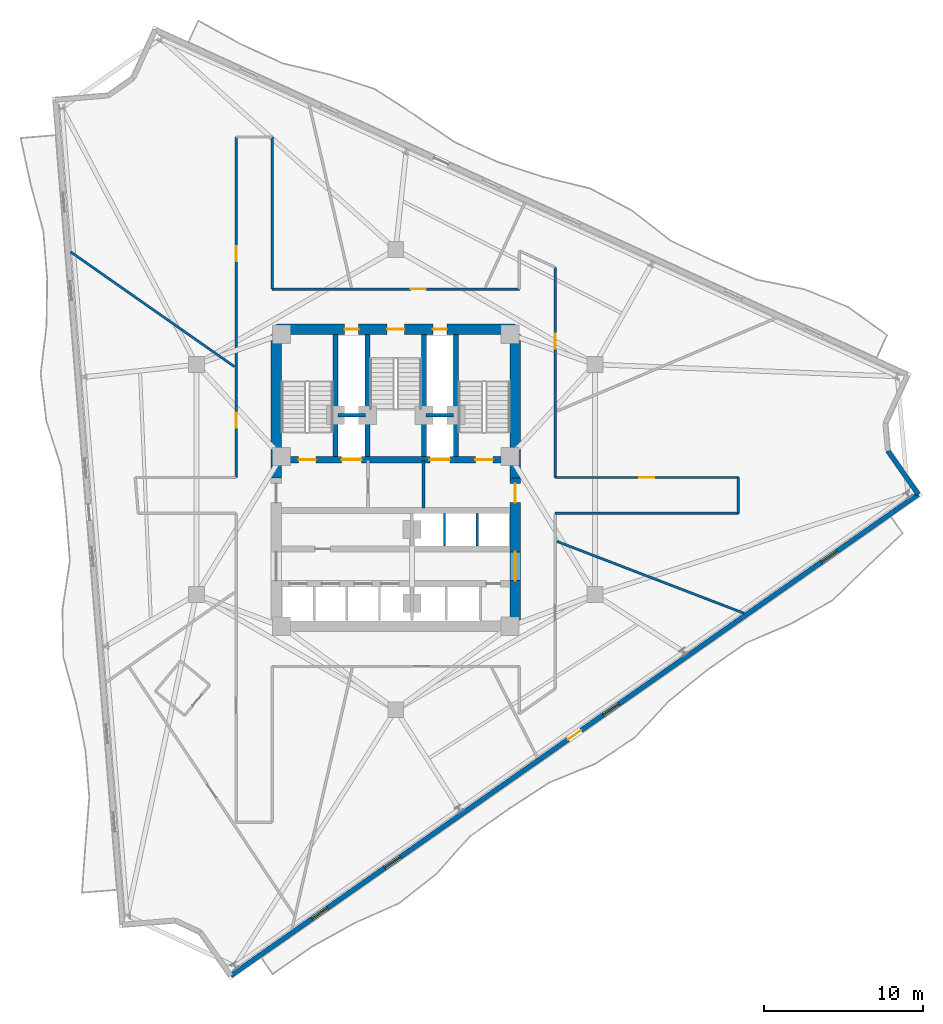
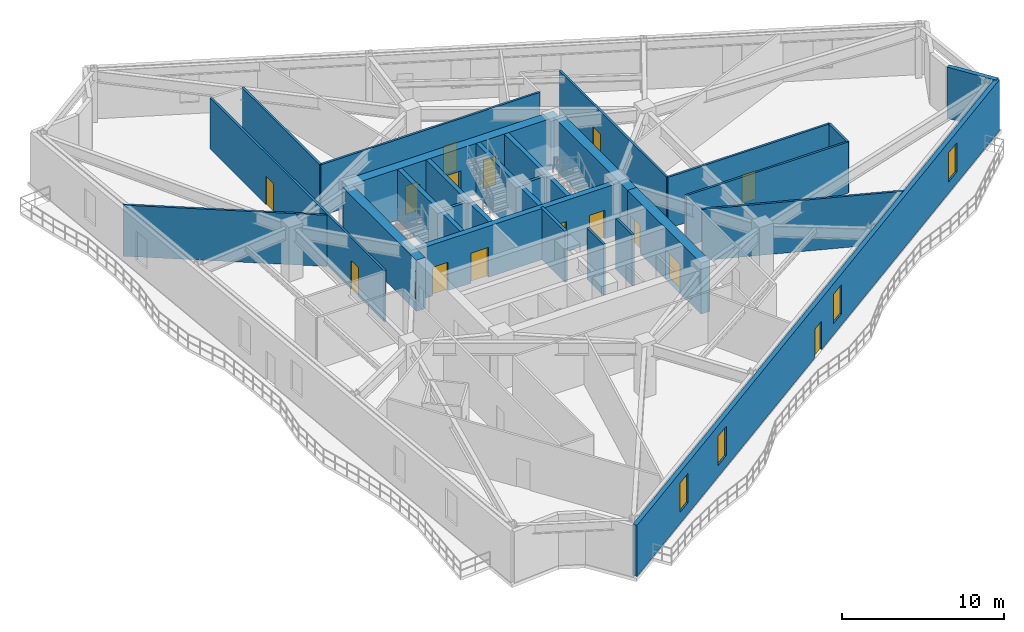
# One storey, part 6 of 11: 25 walls, 15 doors, 4 windows, 19 openings.
"""IFC4 building model written with IfcOpenShell, lengths in metres."""

from ifc_helpers import new_model, si_unit, direction, frame, frame_2d, origin, place, context, subcontext, project, spatial, rectangle, extrude, material, layer, layer_set, type_object, element, fill, save


model = new_model("IFC4")

# Units and contexts
model_context = context("Model", 3, precision=1e-05, world=origin(), true_north=direction((0.0, 1.0)))
body_context = subcontext(model_context, "Body", "Model", "MODEL_VIEW")
ifc_project = project(units=[si_unit("LENGTHUNIT", "METRE"), si_unit("AREAUNIT", "SQUARE_METRE"), si_unit("VOLUMEUNIT", "CUBIC_METRE"), si_unit("PLANEANGLEUNIT", "RADIAN"), si_unit("MASSUNIT", "GRAM", prefix="KILO")], contexts=[model_context])

# Site, building, storey
site_placement = place(None, origin())
site = spatial("IfcSite", under=ifc_project, at=site_placement, CompositionType="ELEMENT")
building_placement = place(site_placement, origin())
building = spatial("IfcBuilding", under=site, at=building_placement, Name="Apsidion Concourse Tower", CompositionType="ELEMENT")
storey_placement = place(building_placement, frame((0.0, 0.0, 214.699951171875)))
storey = spatial("IfcBuildingStorey", under=building, at=storey_placement, Name="L50", CompositionType="ELEMENT", Elevation=214.699951171875)

# Wall
ifc_material_1 = material(Name="Precast concrete C40/50", Category="concrete")
ifc_layer_1 = layer(ifc_material_1, 0.300048828125)
ifc_layer_set_1 = layer_set([ifc_layer_1], Name="Precast concrete C40/50")
wall_type_1 = type_object("IfcWallType", Name="WL-EXT-300", PredefinedType="STANDARD", material=ifc_layer_set_1)
wall_1_placement = place(storey_placement, frame((30.99951171875, 1.809814453125, 0.0), z_axis=(0.0, 0.0, 1.0), x_axis=(0.573550493689, -0.819170208925, 0.0)))
element("IfcWall", 1, at=wall_1_placement, inside=storey, type_object=wall_type_1, Name="L50 Precast Stone Facade Wall 04", PredefinedType="STANDARD", context=body_context, shape_type="SweptSolid", body=[
    extrude(rectangle(XDim=3.345703125, YDim=0.300048828125, at=frame_2d((1.6728515625, 0.0))), origin(), (0.0, 0.0, 1.0), 3.85009765625),
])

# Wall, openings, door, windows
wall_2_placement = place(storey_placement, frame((32.91845703125, -0.930908203125, 0.0), z_axis=(0.0, 0.0, 1.0), x_axis=(-0.819151415939, -0.573577333727, 0.0)))
wall_2 = element("IfcWall", 2, at=wall_2_placement, inside=storey, type_object=wall_type_1, Name="L50 Precast Stone Facade Wall 05", PredefinedType="STANDARD", context=body_context, shape_type="SweptSolid", body=[
    extrude(rectangle(XDim=52.862548828125, YDim=0.300048828125, at=frame_2d((26.43115234375, 0.0))), origin(), (0.0, 0.0, 1.0), 3.85009765625),
])
opening_1_placement = place(wall_2_placement, frame((25.931396484375, 0.0, 0.0)))
opening_1 = element("IfcOpeningElement", 3, at=opening_1_placement, cuts=wall_2, Name="Opening D-T1R", PredefinedType="OPENING", context=body_context, shape_type="SweptSolid", body=[
    extrude(rectangle(XDim=1.0, YDim=2.14990234375, at=frame_2d((0.5, 1.074951171875))), frame((0.0, 0.16015625, 0.0), z_axis=(0.0, -1.0, 0.0), x_axis=(1.0, 0.0, 0.0)), (0.0, 0.0, 1.0), 0.320068359375),
])
opening_2_placement = place(wall_2_placement, frame((6.231201171875, 0.0, 0.85009765625)))
opening_2 = element("IfcOpeningElement", 4, at=opening_2_placement, cuts=wall_2, Name="Opening WN-06", PredefinedType="OPENING", context=body_context, shape_type="SweptSolid", body=[
    extrude(rectangle(XDim=1.199951171875, YDim=2.199951171875, at=frame_2d((0.60009765625, 1.10009765625))), frame((0.0, 0.16015625, 0.0), z_axis=(0.0, -1.0, 0.0), x_axis=(1.0, 0.0, 0.0)), (0.0, 0.0, 1.0), 0.320068359375),
])
opening_3_placement = place(wall_2_placement, frame((23.03125, 0.0, 0.85009765625)))
opening_3 = element("IfcOpeningElement", 5, at=opening_3_placement, cuts=wall_2, Name="Opening WN-06", PredefinedType="OPENING", context=body_context, shape_type="SweptSolid", body=[
    extrude(rectangle(XDim=1.199951171875, YDim=2.199951171875, at=frame_2d((0.60009765625, 1.10009765625))), frame((0.0, 0.16015625, 0.0), z_axis=(0.0, -1.0, 0.0), x_axis=(1.0, 0.0, 0.0)), (0.0, 0.0, 1.0), 0.320068359375),
])
opening_4_placement = place(wall_2_placement, frame((39.831298828125, 0.0, 0.85009765625)))
opening_4 = element("IfcOpeningElement", 6, at=opening_4_placement, cuts=wall_2, Name="Opening WN-06", PredefinedType="OPENING", context=body_context, shape_type="SweptSolid", body=[
    extrude(rectangle(XDim=1.199951171875, YDim=2.199951171875, at=frame_2d((0.60009765625, 1.10009765625))), frame((0.0, 0.16015625, 0.0), z_axis=(0.0, -1.0, 0.0), x_axis=(1.0, 0.0, 0.0)), (0.0, 0.0, 1.0), 0.320068359375),
])
opening_5_placement = place(wall_2_placement, frame((45.431396484375, 0.0, 0.85009765625)))
opening_5 = element("IfcOpeningElement", 7, at=opening_5_placement, cuts=wall_2, Name="Opening WN-06", PredefinedType="OPENING", context=body_context, shape_type="SweptSolid", body=[
    extrude(rectangle(XDim=1.199951171875, YDim=2.199951171875, at=frame_2d((0.60009765625, 1.10009765625))), frame((0.0, 0.16015625, 0.0), z_axis=(0.0, -1.0, 0.0), x_axis=(1.0, 0.0, 0.0)), (0.0, 0.0, 1.0), 0.320068359375),
])
ifc_material_2 = material(Name="Anodised aluminium EN AW-6063 T6", Category="aluminium")
door_type_1 = type_object("IfcDoorType", Name="DR-TER-1022R", OperationType="SINGLE_SWING_RIGHT", PredefinedType="DOOR", material=ifc_material_2)
door_1_placement = place(opening_1_placement, origin())
door_1 = element("IfcDoor", 8, at=door_1_placement, inside=storey, type_object=door_type_1, Name="L50 Balcony Access Door 2", OperationType="SINGLE_SWING_RIGHT", OverallHeight=2.14990234375, OverallWidth=1.0, PredefinedType="DOOR", context=body_context, shape_type="SweptSolid", body=[
    extrude(rectangle(XDim=1.0, YDim=2.14990234375, at=frame_2d((0.5, 1.074951171875))), frame((0.0, 0.02490234375, 0.0), z_axis=(0.0, -1.0, 0.0), x_axis=(1.0, 0.0, 0.0)), (0.0, 0.0, 1.0), 0.050048828125),
])
fill(opening_1, door_1)
ifc_material_3 = material(Name="Insulated laminated low-E glass", Category="glass")
window_type = type_object("IfcWindowType", Name="WN-OFF-1224", PartitioningType="SINGLE_PANEL", PredefinedType="WINDOW", material=ifc_material_3)
window_1_placement = place(opening_2_placement, origin())
window_1 = element("IfcWindow", 9, at=window_1_placement, inside=storey, type_object=window_type, Name="L50 Punched Facade Window 5-01", OverallHeight=2.199951171875, OverallWidth=1.199951171875, PartitioningType="SINGLE_PANEL", PredefinedType="WINDOW", context=body_context, shape_type="SweptSolid", body=[
    extrude(rectangle(XDim=1.199951171875, YDim=2.199951171875, at=frame_2d((0.60009765625, 1.10009765625))), frame((0.0, 0.030029296875, 0.0), z_axis=(0.0, -1.0, 0.0), x_axis=(1.0, 0.0, 0.0)), (0.0, 0.0, 1.0), 0.06005859375),
])
fill(opening_2, window_1)
window_2_placement = place(opening_3_placement, origin())
window_2 = element("IfcWindow", 10, at=window_2_placement, inside=storey, type_object=window_type, Name="L50 Punched Facade Window 5-04", OverallHeight=2.199951171875, OverallWidth=1.199951171875, PartitioningType="SINGLE_PANEL", PredefinedType="WINDOW", context=body_context, shape_type="SweptSolid", body=[
    extrude(rectangle(XDim=1.199951171875, YDim=2.199951171875, at=frame_2d((0.60009765625, 1.10009765625))), frame((0.0, 0.030029296875, 0.0), z_axis=(0.0, -1.0, 0.0), x_axis=(1.0, 0.0, 0.0)), (0.0, 0.0, 1.0), 0.06005859375),
])
fill(opening_3, window_2)
window_3_placement = place(opening_4_placement, origin())
window_3 = element("IfcWindow", 11, at=window_3_placement, inside=storey, type_object=window_type, Name="L50 Punched Facade Window 5-07", OverallHeight=2.199951171875, OverallWidth=1.199951171875, PartitioningType="SINGLE_PANEL", PredefinedType="WINDOW", context=body_context, shape_type="SweptSolid", body=[
    extrude(rectangle(XDim=1.199951171875, YDim=2.199951171875, at=frame_2d((0.60009765625, 1.10009765625))), frame((0.0, 0.030029296875, 0.0), z_axis=(0.0, -1.0, 0.0), x_axis=(1.0, 0.0, 0.0)), (0.0, 0.0, 1.0), 0.06005859375),
])
fill(opening_4, window_3)
window_4_placement = place(opening_5_placement, origin())
window_4 = element("IfcWindow", 12, at=window_4_placement, inside=storey, type_object=window_type, Name="L50 Punched Facade Window 5-08", OverallHeight=2.199951171875, OverallWidth=1.199951171875, PartitioningType="SINGLE_PANEL", PredefinedType="WINDOW", context=body_context, shape_type="SweptSolid", body=[
    extrude(rectangle(XDim=1.199951171875, YDim=2.199951171875, at=frame_2d((0.60009765625, 1.10009765625))), frame((0.0, 0.030029296875, 0.0), z_axis=(0.0, -1.0, 0.0), x_axis=(1.0, 0.0, 0.0)), (0.0, 0.0, 1.0), 0.06005859375),
])
fill(opening_5, window_4)

# Walls
ifc_material_4 = material(Name="Gypsum plasterboard partition")
ifc_layer_2 = layer(ifc_material_4, 0.14990234375)
ifc_layer_set_2 = layer_set([ifc_layer_2], Name="Gypsum plasterboard partition")
wall_type_2 = type_object("IfcWallType", Name="WL-INT-PAR-150", PredefinedType="PARTITIONING", material=ifc_layer_set_2)
for number, where, z_axis, x_axis, name in (
    (13, (3.074951171875, -4.179931640625, 0.0), (0.0, 0.0, 1.0), (0.0, 1.0, 0.0), "L50 Interior Partition WL-L50-B3DIV-1"),
    (14, (5.125, -4.179931640625, 0.0), (0.0, 0.0, 1.0), (0.0, 1.0, 0.0), "L50 Interior Partition WL-L50-B3DIV-2"),
):
    element("IfcWall", number, at=place(storey_placement, frame(where, z_axis=z_axis, x_axis=x_axis)), inside=storey, type_object=wall_type_2, Name=name, PredefinedType="PARTITIONING", context=body_context, shape_type="SweptSolid", body=[
        extrude(rectangle(XDim=2.030029296875, YDim=0.14990234375, at=frame_2d((1.01513671875, 0.0))), origin(), (0.0, 0.0, 1.0), 3.85009765625),
    ])

# Wall, openings, doors
wall_3_placement = place(storey_placement, frame((-10.050048828125, 0.1298828125, 0.0), z_axis=(0.0, 0.0, 1.0), x_axis=(0.0, 1.0, 0.0)))
wall_3 = element("IfcWall", 15, at=wall_3_placement, inside=storey, type_object=wall_type_2, Name="L50 Interior Partition WL-L50-CORR-10", PredefinedType="PARTITIONING", context=body_context, shape_type="SweptSolid", body=[
    extrude(rectangle(XDim=21.4501953125, YDim=0.14990234375, at=frame_2d((10.72509765625, 0.0))), origin(), (0.0, 0.0, 1.0), 3.85009765625),
])
opening_6_placement = place(wall_3_placement, frame((13.61328125, 0.0, 0.0)))
opening_6 = element("IfcOpeningElement", 16, at=opening_6_placement, cuts=wall_3, Name="Opening D-01L", PredefinedType="OPENING", context=body_context, shape_type="SweptSolid", body=[
    extrude(rectangle(XDim=0.949951171875, YDim=2.14990234375, at=frame_2d((0.47509765625, 1.074951171875))), frame((0.0, 0.0849609375, 0.0), z_axis=(0.0, -1.0, 0.0), x_axis=(1.0, 0.0, 0.0)), (0.0, 0.0, 1.0), 0.169921875),
])
opening_7_placement = place(wall_3_placement, frame((3.139404296875, 0.0, 0.0)))
opening_7 = element("IfcOpeningElement", 17, at=opening_7_placement, cuts=wall_3, Name="Opening D-01R", PredefinedType="OPENING", context=body_context, shape_type="SweptSolid", body=[
    extrude(rectangle(XDim=0.949951171875, YDim=2.14990234375, at=frame_2d((0.47509765625, 1.074951171875))), frame((0.0, 0.0849609375, 0.0), z_axis=(0.0, -1.0, 0.0), x_axis=(1.0, 0.0, 0.0)), (0.0, 0.0, 1.0), 0.169921875),
])
ifc_material_5 = material(Name="Brushed stainless steel 316", Category="steel")
door_type_2 = type_object("IfcDoorType", Name="DR-INT-D01L", OperationType="SINGLE_SWING_LEFT", PredefinedType="DOOR", material=ifc_material_5)
door_2_placement = place(opening_6_placement, origin())
door_2 = element("IfcDoor", 18, at=door_2_placement, inside=storey, type_object=door_type_2, Name="L50 Corridor Entry Door 07", OperationType="SINGLE_SWING_LEFT", OverallHeight=2.14990234375, OverallWidth=0.949951171875, PredefinedType="DOOR", context=body_context, shape_type="SweptSolid", body=[
    extrude(rectangle(XDim=0.949951171875, YDim=2.14990234375, at=frame_2d((0.47509765625, 1.074951171875))), frame((0.0, 0.02490234375, 0.0), z_axis=(0.0, -1.0, 0.0), x_axis=(1.0, 0.0, 0.0)), (0.0, 0.0, 1.0), 0.050048828125),
])
fill(opening_6, door_2)
door_type_3 = type_object("IfcDoorType", Name="DR-INT-D01R", OperationType="SINGLE_SWING_RIGHT", PredefinedType="DOOR", material=ifc_material_5)
door_3_placement = place(opening_7_placement, origin())
door_3 = element("IfcDoor", 19, at=door_3_placement, inside=storey, type_object=door_type_3, Name="L50 Corridor Entry Door 08", OperationType="SINGLE_SWING_RIGHT", OverallHeight=2.14990234375, OverallWidth=0.949951171875, PredefinedType="DOOR", context=body_context, shape_type="SweptSolid", body=[
    extrude(rectangle(XDim=0.949951171875, YDim=2.14990234375, at=frame_2d((0.47509765625, 1.074951171875))), frame((0.0, 0.02490234375, 0.0), z_axis=(0.0, -1.0, 0.0), x_axis=(1.0, 0.0, 0.0)), (0.0, 0.0, 1.0), 0.050048828125),
])
fill(opening_7, door_3)

# Wall
wall_4_placement = place(storey_placement, frame((-7.7900390625, 21.580078125, 0.0), z_axis=(0.0, 0.0, 1.0), x_axis=(0.0, -1.0, 0.0)))
element("IfcWall", 20, at=wall_4_placement, inside=storey, type_object=wall_type_2, Name="L50 Interior Partition WL-L50-CORR-12", PredefinedType="PARTITIONING", context=body_context, shape_type="SweptSolid", body=[
    extrude(rectangle(XDim=9.580078125, YDim=0.14990234375, at=frame_2d((4.7900390625, 0.0))), origin(), (0.0, 0.0, 1.0), 3.85009765625),
])

# Wall, opening, door
wall_5_placement = place(storey_placement, frame((-7.7900390625, 12.0, 0.0), z_axis=(0.0, 0.0, 1.0), x_axis=(1.0, 0.0, 0.0)))
wall_5 = element("IfcWall", 21, at=wall_5_placement, inside=storey, type_object=wall_type_2, Name="L50 Interior Partition WL-L50-CORR-13", PredefinedType="PARTITIONING", context=body_context, shape_type="SweptSolid", body=[
    extrude(rectangle(XDim=15.580078125, YDim=0.14990234375, at=frame_2d((7.7900390625, 0.0))), origin(), (0.0, 0.0, 1.0), 3.85009765625),
])
opening_8_placement = place(wall_5_placement, frame((8.737548828125, 0.0, 0.0)))
opening_8 = element("IfcOpeningElement", 22, at=opening_8_placement, cuts=wall_5, Name="Opening D-01R", PredefinedType="OPENING", context=body_context, shape_type="SweptSolid", body=[
    extrude(rectangle(XDim=0.949951171875, YDim=2.14990234375, at=frame_2d((0.47509765625, 1.074951171875))), frame((0.0, 0.0849609375, 0.0), z_axis=(0.0, -1.0, 0.0), x_axis=(1.0, 0.0, 0.0)), (0.0, 0.0, 1.0), 0.169921875),
])
door_4_placement = place(opening_8_placement, origin())
door_4 = element("IfcDoor", 23, at=door_4_placement, inside=storey, type_object=door_type_3, Name="L50 Corridor Entry Door 06", OperationType="SINGLE_SWING_RIGHT", OverallHeight=2.14990234375, OverallWidth=0.949951171875, PredefinedType="DOOR", context=body_context, shape_type="SweptSolid", body=[
    extrude(rectangle(XDim=0.949951171875, YDim=2.14990234375, at=frame_2d((0.47509765625, 1.074951171875))), frame((0.0, 0.02490234375, 0.0), z_axis=(0.0, -1.0, 0.0), x_axis=(1.0, 0.0, 0.0)), (0.0, 0.0, 1.0), 0.050048828125),
])
fill(opening_8, door_4)

wall_6_placement = place(storey_placement, frame((10.050048828125, 13.370849609375, 0.0), z_axis=(0.0, 0.0, 1.0), x_axis=(0.0, -1.0, 0.0)))
wall_6 = element("IfcWall", 24, at=wall_6_placement, inside=storey, type_object=wall_type_2, Name="L50 Interior Partition WL-L50-CORR-16", PredefinedType="PARTITIONING", context=body_context, shape_type="SweptSolid", body=[
    extrude(rectangle(XDim=13.240966796875, YDim=0.14990234375, at=frame_2d((6.62060546875, 0.0))), origin(), (0.0, 0.0, 1.0), 3.85009765625),
])
opening_9_placement = place(wall_6_placement, frame((4.1845703125, 0.0, 0.0)))
opening_9 = element("IfcOpeningElement", 25, at=opening_9_placement, cuts=wall_6, Name="Opening D-01L", PredefinedType="OPENING", context=body_context, shape_type="SweptSolid", body=[
    extrude(rectangle(XDim=0.949951171875, YDim=2.14990234375, at=frame_2d((0.47509765625, 1.074951171875))), frame((0.0, 0.0849609375, 0.0), z_axis=(0.0, -1.0, 0.0), x_axis=(1.0, 0.0, 0.0)), (0.0, 0.0, 1.0), 0.169921875),
])
door_5_placement = place(opening_9_placement, origin())
door_5 = element("IfcDoor", 26, at=door_5_placement, inside=storey, type_object=door_type_2, Name="L50 Corridor Entry Door 05", OperationType="SINGLE_SWING_LEFT", OverallHeight=2.14990234375, OverallWidth=0.949951171875, PredefinedType="DOOR", context=body_context, shape_type="SweptSolid", body=[
    extrude(rectangle(XDim=0.949951171875, YDim=2.14990234375, at=frame_2d((0.47509765625, 1.074951171875))), frame((0.0, 0.02490234375, 0.0), z_axis=(0.0, -1.0, 0.0), x_axis=(1.0, 0.0, 0.0)), (0.0, 0.0, 1.0), 0.050048828125),
])
fill(opening_9, door_5)

wall_7_placement = place(storey_placement, frame((10.050048828125, 0.1298828125, 0.0), z_axis=(0.0, 0.0, 1.0), x_axis=(1.0, 0.0, 0.0)))
wall_7 = element("IfcWall", 27, at=wall_7_placement, inside=storey, type_object=wall_type_2, Name="L50 Interior Partition WL-L50-CORR-17", PredefinedType="PARTITIONING", context=body_context, shape_type="SweptSolid", body=[
    extrude(rectangle(XDim=11.530029296875, YDim=0.14990234375, at=frame_2d((5.76513671875, 0.0))), origin(), (0.0, 0.0, 1.0), 3.85009765625),
])
opening_10_placement = place(wall_7_placement, frame((5.2900390625, 0.0, 0.0)))
opening_10 = element("IfcOpeningElement", 28, at=opening_10_placement, cuts=wall_7, Name="Opening D-01R", PredefinedType="OPENING", context=body_context, shape_type="SweptSolid", body=[
    extrude(rectangle(XDim=0.949951171875, YDim=2.14990234375, at=frame_2d((0.47509765625, 1.074951171875))), frame((0.0, 0.0849609375, 0.0), z_axis=(0.0, -1.0, 0.0), x_axis=(1.0, 0.0, 0.0)), (0.0, 0.0, 1.0), 0.169921875),
])
door_6_placement = place(opening_10_placement, origin())
door_6 = element("IfcDoor", 29, at=door_6_placement, inside=storey, type_object=door_type_3, Name="L50 Corridor Entry Door 04", OperationType="SINGLE_SWING_RIGHT", OverallHeight=2.14990234375, OverallWidth=0.949951171875, PredefinedType="DOOR", context=body_context, shape_type="SweptSolid", body=[
    extrude(rectangle(XDim=0.949951171875, YDim=2.14990234375, at=frame_2d((0.47509765625, 1.074951171875))), frame((0.0, 0.02490234375, 0.0), z_axis=(0.0, -1.0, 0.0), x_axis=(1.0, 0.0, 0.0)), (0.0, 0.0, 1.0), 0.050048828125),
])
fill(opening_10, door_6)

# Walls
wall_8_placement = place(storey_placement, frame((21.580078125, 0.1298828125, 0.0), z_axis=(0.0, 0.0, 1.0), x_axis=(0.0, -1.0, 0.0)))
element("IfcWall", 30, at=wall_8_placement, inside=storey, type_object=wall_type_2, Name="L50 Interior Partition WL-L50-CORR-18", PredefinedType="PARTITIONING", context=body_context, shape_type="SweptSolid", body=[
    extrude(rectangle(XDim=2.259765625, YDim=0.14990234375, at=frame_2d((1.1298828125, 0.0))), origin(), (0.0, 0.0, 1.0), 3.85009765625),
])
wall_9_placement = place(storey_placement, frame((21.580078125, -2.1298828125, 0.0), z_axis=(0.0, 0.0, 1.0), x_axis=(-1.0, 0.0, 0.0)))
element("IfcWall", 31, at=wall_9_placement, inside=storey, type_object=wall_type_2, Name="L50 Interior Partition WL-L50-CORR-19", PredefinedType="PARTITIONING", context=body_context, shape_type="SweptSolid", body=[
    extrude(rectangle(XDim=11.530029296875, YDim=0.14990234375, at=frame_2d((5.76513671875, 0.0))), origin(), (0.0, 0.0, 1.0), 3.85009765625),
])
wall_10_placement = place(storey_placement, frame((-10.155029296875, 7.110595703125, 0.0), z_axis=(0.0, 0.0, 1.0), x_axis=(-0.819150109619, 0.573579199336, 0.0)))
element("IfcWall", 32, at=wall_10_placement, inside=storey, type_object=wall_type_2, Name="L50 Interior Partition WL-L50-RAD-04-1", PredefinedType="PARTITIONING", context=body_context, shape_type="SweptSolid", body=[
    extrude(rectangle(XDim=12.619140625, YDim=0.14990234375, at=frame_2d((6.3095703125, 0.0))), origin(), (0.0, 0.0, 1.0), 3.85009765625),
])
wall_11_placement = place(storey_placement, frame((10.155029296875, -3.898193359375, 0.0), z_axis=(0.0, 0.0, 1.0), x_axis=(0.933579284308, -0.358370925037, 0.0)))
element("IfcWall", 33, at=wall_11_placement, inside=storey, type_object=wall_type_2, Name="L50 Interior Partition WL-L50-RAD-09-1", PredefinedType="PARTITIONING", context=body_context, shape_type="SweptSolid", body=[
    extrude(rectangle(XDim=12.6181640625, YDim=0.14990234375, at=frame_2d((6.30908203125, 0.0))), origin(), (0.0, 0.0, 1.0), 3.85009765625),
])
ifc_layer_3 = layer(ifc_material_4, 0.199951171875)
ifc_layer_set_3 = layer_set([ifc_layer_3], Name="Gypsum plasterboard partition")
wall_type_3 = type_object("IfcWallType", Name="WL-INT-PAR-200", PredefinedType="PARTITIONING", material=ifc_layer_set_3)
for number, where, z_axis, x_axis, name in (
    (34, (-3.64990234375, 4.050048828125, 0.0), (0.0, 0.0, 1.0), (1.0, 0.0, 0.0), "L50 Interior Partition WL-L50-FF1-N"),
    (35, (1.919921875, 4.050048828125, 0.0), (0.0, 0.0, 1.0), (1.0, 0.0, 0.0), "L50 Interior Partition WL-L50-FF2-N"),
):
    element("IfcWall", number, at=place(storey_placement, frame(where, z_axis=z_axis, x_axis=x_axis)), inside=storey, type_object=wall_type_3, Name=name, PredefinedType="PARTITIONING", context=body_context, shape_type="SweptSolid", body=[
        extrude(rectangle(XDim=1.72998046875, YDim=0.199951171875, at=frame_2d((0.864990234375, 0.0))), origin(), (0.0, 0.0, 1.0), 3.85009765625),
    ])
wall_12_placement = place(storey_placement, frame((1.739990234375, -1.780029296875, 0.0), z_axis=(0.0, 0.0, 1.0), x_axis=(0.0, 1.0, 0.0)))
element("IfcWall", 36, at=wall_12_placement, inside=storey, type_object=wall_type_3, Name="L50 Interior Partition WL-L50-FF2-W", PredefinedType="PARTITIONING", context=body_context, shape_type="SweptSolid", body=[
    extrude(rectangle(XDim=2.97998046875, YDim=0.199951171875, at=frame_2d((1.489990234375, 0.0))), origin(), (0.0, 0.0, 1.0), 3.85009765625),
])
ifc_material_6 = material(Name="Concrete C50/60", Category="concrete")
ifc_layer_4 = layer(ifc_material_6, 0.300048828125)
ifc_layer_set_4 = layer_set([ifc_layer_4], Name="Concrete C50/60")
wall_type_4 = type_object("IfcWallType", Name="WL-SH-300", PredefinedType="SHEAR", material=ifc_layer_set_4)
for number, where, z_axis, x_axis, name in (
    (37, (-3.800048828125, 1.449951171875, 0.0), (0.0, 0.0, 1.0), (0.0, 1.0, 0.0), "L50 Central Core Shear Wall V1"),
    (38, (-1.77490234375, 1.449951171875, 0.0), (0.0, 0.0, 1.0), (0.0, 1.0, 0.0), "L50 Central Core Shear Wall V2"),
    (39, (1.77490234375, 1.449951171875, 0.0), (0.0, 0.0, 1.0), (0.0, 1.0, 0.0), "L50 Central Core Shear Wall V3"),
    (40, (3.800048828125, 1.449951171875, 0.0), (0.0, 0.0, 1.0), (0.0, 1.0, 0.0), "L50 Central Core Shear Wall V4"),
):
    element("IfcWall", number, at=place(storey_placement, frame(where, z_axis=z_axis, x_axis=x_axis)), inside=storey, type_object=wall_type_4, Name=name, PredefinedType="SHEAR", context=body_context, shape_type="SweptSolid", body=[
        extrude(rectangle(XDim=7.699951171875, YDim=0.300048828125, at=frame_2d((3.85009765625, 0.0))), origin(), (0.0, 0.0, 1.0), 3.85009765625),
    ])

# Wall, openings, doors
ifc_layer_5 = layer(ifc_material_6, 0.39990234375)
ifc_layer_set_5 = layer_set([ifc_layer_5], Name="Concrete C50/60")
wall_type_5 = type_object("IfcWallType", Name="WL-SH-400", PredefinedType="SHEAR", material=ifc_layer_set_5)
wall_13_placement = place(storey_placement, frame((-7.199951171875, 1.25, 0.0), z_axis=(0.0, 0.0, 1.0), x_axis=(1.0, 0.0, 0.0)))
wall_13 = element("IfcWall", 41, at=wall_13_placement, inside=storey, type_object=wall_type_5, Name="L50 Central Core Shear Wall M1", PredefinedType="SHEAR", context=body_context, shape_type="SweptSolid", body=[
    extrude(rectangle(XDim=14.39990234375, YDim=0.39990234375, at=frame_2d((7.199951171875, 0.0))), origin(), (0.0, 0.0, 1.0), 3.85009765625),
])
opening_11_placement = place(wall_13_placement, frame((3.794921875, 0.0, 0.0)))
opening_11 = element("IfcOpeningElement", 42, at=opening_11_placement, cuts=wall_13, Name="Opening LD-FF", PredefinedType="OPENING", context=body_context, shape_type="SweptSolid", body=[
    extrude(rectangle(XDim=1.25, YDim=2.25, at=frame_2d((0.625, 1.125))), frame((0.0, 0.2099609375, 0.0), z_axis=(0.0, -1.0, 0.0), x_axis=(1.0, 0.0, 0.0)), (0.0, 0.0, 1.0), 0.419921875),
])
opening_12_placement = place(wall_13_placement, frame((9.35498046875, 0.0, 0.0)))
opening_12 = element("IfcOpeningElement", 43, at=opening_12_placement, cuts=wall_13, Name="Opening LD-FF", PredefinedType="OPENING", context=body_context, shape_type="SweptSolid", body=[
    extrude(rectangle(XDim=1.25, YDim=2.25, at=frame_2d((0.625, 1.125))), frame((0.0, 0.2099609375, 0.0), z_axis=(0.0, -1.0, 0.0), x_axis=(1.0, 0.0, 0.0)), (0.0, 0.0, 1.0), 0.419921875),
])
opening_13_placement = place(wall_13_placement, frame((1.074951171875, 0.0, 0.0)))
opening_13 = element("IfcOpeningElement", 44, at=opening_13_placement, cuts=wall_13, Name="Opening D-STL", PredefinedType="OPENING", context=body_context, shape_type="SweptSolid", body=[
    extrude(rectangle(XDim=1.10009765625, YDim=2.14990234375, at=frame_2d((0.550048828125, 1.074951171875))), frame((0.0, 0.2099609375, 0.0), z_axis=(0.0, -1.0, 0.0), x_axis=(1.0, 0.0, 0.0)), (0.0, 0.0, 1.0), 0.419921875),
])
opening_14_placement = place(wall_13_placement, frame((12.22509765625, 0.0, 0.0)))
opening_14 = element("IfcOpeningElement", 45, at=opening_14_placement, cuts=wall_13, Name="Opening D-STR", PredefinedType="OPENING", context=body_context, shape_type="SweptSolid", body=[
    extrude(rectangle(XDim=1.10009765625, YDim=2.14990234375, at=frame_2d((0.550048828125, 1.074951171875))), frame((0.0, 0.2099609375, 0.0), z_axis=(0.0, -1.0, 0.0), x_axis=(1.0, 0.0, 0.0)), (0.0, 0.0, 1.0), 0.419921875),
])
door_type_4 = type_object("IfcDoorType", Name="DR-INT-ST1L", OperationType="SINGLE_SWING_LEFT", PredefinedType="DOOR", material=ifc_material_5)
door_7_placement = place(opening_13_placement, origin())
door_7 = element("IfcDoor", 46, at=door_7_placement, inside=storey, type_object=door_type_4, Name="L50 Core Exit Stair ST1 Door", OperationType="SINGLE_SWING_LEFT", OverallHeight=2.14990234375, OverallWidth=1.10009765625, PredefinedType="DOOR", context=body_context, shape_type="SweptSolid", body=[
    extrude(rectangle(XDim=1.10009765625, YDim=2.14990234375, at=frame_2d((0.550048828125, 1.074951171875))), frame((0.0, 0.02490234375, 0.0), z_axis=(0.0, -1.0, 0.0), x_axis=(1.0, 0.0, 0.0)), (0.0, 0.0, 1.0), 0.050048828125),
])
fill(opening_13, door_7)
door_type_5 = type_object("IfcDoorType", Name="DR-INT-ST1R", OperationType="SINGLE_SWING_RIGHT", PredefinedType="DOOR", material=ifc_material_5)
door_8_placement = place(opening_14_placement, origin())
door_8 = element("IfcDoor", 47, at=door_8_placement, inside=storey, type_object=door_type_5, Name="L50 Core Exit Stair ST2 Door", OperationType="SINGLE_SWING_RIGHT", OverallHeight=2.14990234375, OverallWidth=1.10009765625, PredefinedType="DOOR", context=body_context, shape_type="SweptSolid", body=[
    extrude(rectangle(XDim=1.10009765625, YDim=2.14990234375, at=frame_2d((0.550048828125, 1.074951171875))), frame((0.0, 0.02490234375, 0.0), z_axis=(0.0, -1.0, 0.0), x_axis=(1.0, 0.0, 0.0)), (0.0, 0.0, 1.0), 0.050048828125),
])
fill(opening_14, door_8)
door_type_6 = type_object("IfcDoorType", Name="DR-LD-FSAE", OperationType="DOUBLE_DOOR_SLIDING", PredefinedType="DOOR", material=ifc_material_5)
door_9_placement = place(opening_11_placement, origin())
door_9 = element("IfcDoor", 48, at=door_9_placement, inside=storey, type_object=door_type_6, Name="L50 Lift Landing Door FF1", OperationType="DOUBLE_DOOR_SLIDING", OverallHeight=2.25, OverallWidth=1.25, PredefinedType="DOOR", context=body_context, shape_type="SweptSolid", body=[
    extrude(rectangle(XDim=1.25, YDim=2.25, at=frame_2d((0.625, 1.125))), frame((0.0, 0.02490234375, 0.0), z_axis=(0.0, -1.0, 0.0), x_axis=(1.0, 0.0, 0.0)), (0.0, 0.0, 1.0), 0.050048828125),
])
fill(opening_11, door_9)
door_10_placement = place(opening_12_placement, origin())
door_10 = element("IfcDoor", 49, at=door_10_placement, inside=storey, type_object=door_type_6, Name="L50 Lift Landing Door FF2", OperationType="DOUBLE_DOOR_SLIDING", OverallHeight=2.25, OverallWidth=1.25, PredefinedType="DOOR", context=body_context, shape_type="SweptSolid", body=[
    extrude(rectangle(XDim=1.25, YDim=2.25, at=frame_2d((0.625, 1.125))), frame((0.0, 0.02490234375, 0.0), z_axis=(0.0, -1.0, 0.0), x_axis=(1.0, 0.0, 0.0)), (0.0, 0.0, 1.0), 0.050048828125),
])
fill(opening_12, door_10)

ifc_layer_6 = layer(ifc_material_6, 0.64990234375)
ifc_layer_set_6 = layer_set([ifc_layer_6], Name="Concrete C50/60")
wall_type_6 = type_object("IfcWallType", Name="WL-SH-650", PredefinedType="SHEAR", material=ifc_layer_set_6)
wall_14_placement = place(storey_placement, frame((-7.52490234375, 9.47509765625, 0.0), z_axis=(0.0, 0.0, 1.0), x_axis=(1.0, 0.0, 0.0)))
wall_14 = element("IfcWall", 50, at=wall_14_placement, inside=storey, type_object=wall_type_6, Name="L50 Central Core Shear Wall N", PredefinedType="SHEAR", context=body_context, shape_type="SweptSolid", body=[
    extrude(rectangle(XDim=15.0498046875, YDim=0.64990234375, at=frame_2d((7.52490234375, 0.0))), origin(), (0.0, 0.0, 1.0), 3.85009765625),
])
opening_15_placement = place(wall_14_placement, frame((6.97509765625, 0.0, 0.0)))
opening_15 = element("IfcOpeningElement", 51, at=opening_15_placement, cuts=wall_14, Name="Opening D-STL", PredefinedType="OPENING", context=body_context, shape_type="SweptSolid", body=[
    extrude(rectangle(XDim=1.10009765625, YDim=2.14990234375, at=frame_2d((0.550048828125, 1.074951171875))), frame((0.0, 0.3349609375, 0.0), z_axis=(0.0, -1.0, 0.0), x_axis=(1.0, 0.0, 0.0)), (0.0, 0.0, 1.0), 0.669921875),
])
opening_16_placement = place(wall_14_placement, frame((4.304931640625, 0.0, 0.0)))
opening_16 = element("IfcOpeningElement", 52, at=opening_16_placement, cuts=wall_14, Name="Opening D-05L", PredefinedType="OPENING", context=body_context, shape_type="SweptSolid", body=[
    extrude(rectangle(XDim=0.8798828125, YDim=2.14990234375, at=frame_2d((0.43994140625, 1.074951171875))), frame((0.0, 0.3349609375, 0.0), z_axis=(0.0, -1.0, 0.0), x_axis=(1.0, 0.0, 0.0)), (0.0, 0.0, 1.0), 0.669921875),
])
opening_17_placement = place(wall_14_placement, frame((9.864990234375, 0.0, 0.0)))
opening_17 = element("IfcOpeningElement", 53, at=opening_17_placement, cuts=wall_14, Name="Opening D-05R", PredefinedType="OPENING", context=body_context, shape_type="SweptSolid", body=[
    extrude(rectangle(XDim=0.8798828125, YDim=2.14990234375, at=frame_2d((0.43994140625, 1.074951171875))), frame((0.0, 0.3349609375, 0.0), z_axis=(0.0, -1.0, 0.0), x_axis=(1.0, 0.0, 0.0)), (0.0, 0.0, 1.0), 0.669921875),
])
door_type_7 = type_object("IfcDoorType", Name="DR-INT-D05L", OperationType="SINGLE_SWING_LEFT", PredefinedType="DOOR", material=ifc_material_5)
door_11_placement = place(opening_16_placement, origin())
door_11 = element("IfcDoor", 54, at=door_11_placement, inside=storey, type_object=door_type_7, Name="L50 Electrical Riser Shaft Access Door", OperationType="SINGLE_SWING_LEFT", OverallHeight=2.14990234375, OverallWidth=0.8798828125, PredefinedType="DOOR", context=body_context, shape_type="SweptSolid", body=[
    extrude(rectangle(XDim=0.8798828125, YDim=2.14990234375, at=frame_2d((0.43994140625, 1.074951171875))), frame((0.0, 0.02490234375, 0.0), z_axis=(0.0, -1.0, 0.0), x_axis=(1.0, 0.0, 0.0)), (0.0, 0.0, 1.0), 0.050048828125),
])
fill(opening_16, door_11)
door_type_8 = type_object("IfcDoorType", Name="DR-INT-D05R", OperationType="SINGLE_SWING_RIGHT", PredefinedType="DOOR", material=ifc_material_5)
door_12_placement = place(opening_17_placement, origin())
door_12 = element("IfcDoor", 55, at=door_12_placement, inside=storey, type_object=door_type_8, Name="L50 Mechanical Riser Shaft Access Door", OperationType="SINGLE_SWING_RIGHT", OverallHeight=2.14990234375, OverallWidth=0.8798828125, PredefinedType="DOOR", context=body_context, shape_type="SweptSolid", body=[
    extrude(rectangle(XDim=0.8798828125, YDim=2.14990234375, at=frame_2d((0.43994140625, 1.074951171875))), frame((0.0, 0.02490234375, 0.0), z_axis=(0.0, -1.0, 0.0), x_axis=(1.0, 0.0, 0.0)), (0.0, 0.0, 1.0), 0.050048828125),
])
fill(opening_17, door_12)
door_13_placement = place(opening_15_placement, origin())
door_13 = element("IfcDoor", 56, at=door_13_placement, inside=storey, type_object=door_type_4, Name="L50 Core Exit Stair ST3 Door", OperationType="SINGLE_SWING_LEFT", OverallHeight=2.14990234375, OverallWidth=1.10009765625, PredefinedType="DOOR", context=body_context, shape_type="SweptSolid", body=[
    extrude(rectangle(XDim=1.10009765625, YDim=2.14990234375, at=frame_2d((0.550048828125, 1.074951171875))), frame((0.0, 0.02490234375, 0.0), z_axis=(0.0, -1.0, 0.0), x_axis=(1.0, 0.0, 0.0)), (0.0, 0.0, 1.0), 0.050048828125),
])
fill(opening_15, door_13)

# Walls
for number, where, z_axis, x_axis, name in (
    (57, (-7.52490234375, 0.10009765625, 0.0), (0.0, 0.0, 1.0), (0.0, 1.0, 0.0), "L50 Central Core Shear Wall WN"),
    (58, (7.52490234375, 0.10009765625, 0.0), (0.0, 0.0, 1.0), (0.0, 1.0, 0.0), "L50 Central Core Shear Wall EN"),
):
    element("IfcWall", number, at=place(storey_placement, frame(where, z_axis=z_axis, x_axis=x_axis)), inside=storey, type_object=wall_type_6, Name=name, PredefinedType="SHEAR", context=body_context, shape_type="SweptSolid", body=[
        extrude(rectangle(XDim=9.0498046875, YDim=0.64990234375, at=frame_2d((4.52490234375, 0.0))), origin(), (0.0, 0.0, 1.0), 3.85009765625),
    ])

# Wall, openings, doors
wall_15_placement = place(storey_placement, frame((7.52490234375, -8.925048828125, 0.0), z_axis=(0.0, 0.0, 1.0), x_axis=(0.0, 1.0, 0.0)))
wall_15 = element("IfcWall", 59, at=wall_15_placement, inside=storey, type_object=wall_type_6, Name="L50 Central Core Shear Wall ES", PredefinedType="SHEAR", context=body_context, shape_type="SweptSolid", body=[
    extrude(rectangle(XDim=9.025146484375, YDim=0.64990234375, at=frame_2d((4.5126953125, 0.0))), origin(), (0.0, 0.0, 1.0), 3.85009765625),
])
opening_18_placement = place(wall_15_placement, frame((2.56494140625, 0.0, 0.0)))
opening_18 = element("IfcOpeningElement", 60, at=opening_18_placement, cuts=wall_15, Name="Opening D-06D", PredefinedType="OPENING", context=body_context, shape_type="SweptSolid", body=[
    extrude(rectangle(XDim=1.800048828125, YDim=2.199951171875, at=frame_2d((0.89990234375, 1.10009765625))), frame((0.0, 0.3349609375, 0.0), z_axis=(0.0, -1.0, 0.0), x_axis=(1.0, 0.0, 0.0)), (0.0, 0.0, 1.0), 0.669921875),
])
opening_19_placement = place(wall_15_placement, frame((7.47509765625, 0.0, 0.0)))
opening_19 = element("IfcOpeningElement", 61, at=opening_19_placement, cuts=wall_15, Name="Opening D-FFR", PredefinedType="OPENING", context=body_context, shape_type="SweptSolid", body=[
    extrude(rectangle(XDim=1.199951171875, YDim=2.14990234375, at=frame_2d((0.60009765625, 1.074951171875))), frame((0.0, 0.3349609375, 0.0), z_axis=(0.0, -1.0, 0.0), x_axis=(1.0, 0.0, 0.0)), (0.0, 0.0, 1.0), 0.669921875),
])
door_type_9 = type_object("IfcDoorType", Name="DR-INT-D06D", OperationType="DOUBLE_DOOR_SINGLE_SWING", PredefinedType="DOOR", material=ifc_material_5)
door_14_placement = place(opening_18_placement, origin())
door_14 = element("IfcDoor", 62, at=door_14_placement, inside=storey, type_object=door_type_9, Name="L50 Passenger Lift Lobby ES Portal Door", OperationType="DOUBLE_DOOR_SINGLE_SWING", OverallHeight=2.199951171875, OverallWidth=1.800048828125, PredefinedType="DOOR", context=body_context, shape_type="SweptSolid", body=[
    extrude(rectangle(XDim=1.800048828125, YDim=2.199951171875, at=frame_2d((0.89990234375, 1.10009765625))), frame((0.0, 0.02490234375, 0.0), z_axis=(0.0, -1.0, 0.0), x_axis=(1.0, 0.0, 0.0)), (0.0, 0.0, 1.0), 0.050048828125),
])
fill(opening_18, door_14)
door_type_10 = type_object("IfcDoorType", Name="DR-INT-FFR", OperationType="SINGLE_SWING_RIGHT", PredefinedType="DOOR", material=ifc_material_5)
door_15_placement = place(opening_19_placement, origin())
door_15 = element("IfcDoor", 63, at=door_15_placement, inside=storey, type_object=door_type_10, Name="L50 Firefighting Lift Lobby FF2 Door", OperationType="SINGLE_SWING_RIGHT", OverallHeight=2.14990234375, OverallWidth=1.199951171875, PredefinedType="DOOR", context=body_context, shape_type="SweptSolid", body=[
    extrude(rectangle(XDim=1.199951171875, YDim=2.14990234375, at=frame_2d((0.60009765625, 1.074951171875))), frame((0.0, 0.02490234375, 0.0), z_axis=(0.0, -1.0, 0.0), x_axis=(1.0, 0.0, 0.0)), (0.0, 0.0, 1.0), 0.050048828125),
])
fill(opening_19, door_15)

save(model, "model.ifc")
